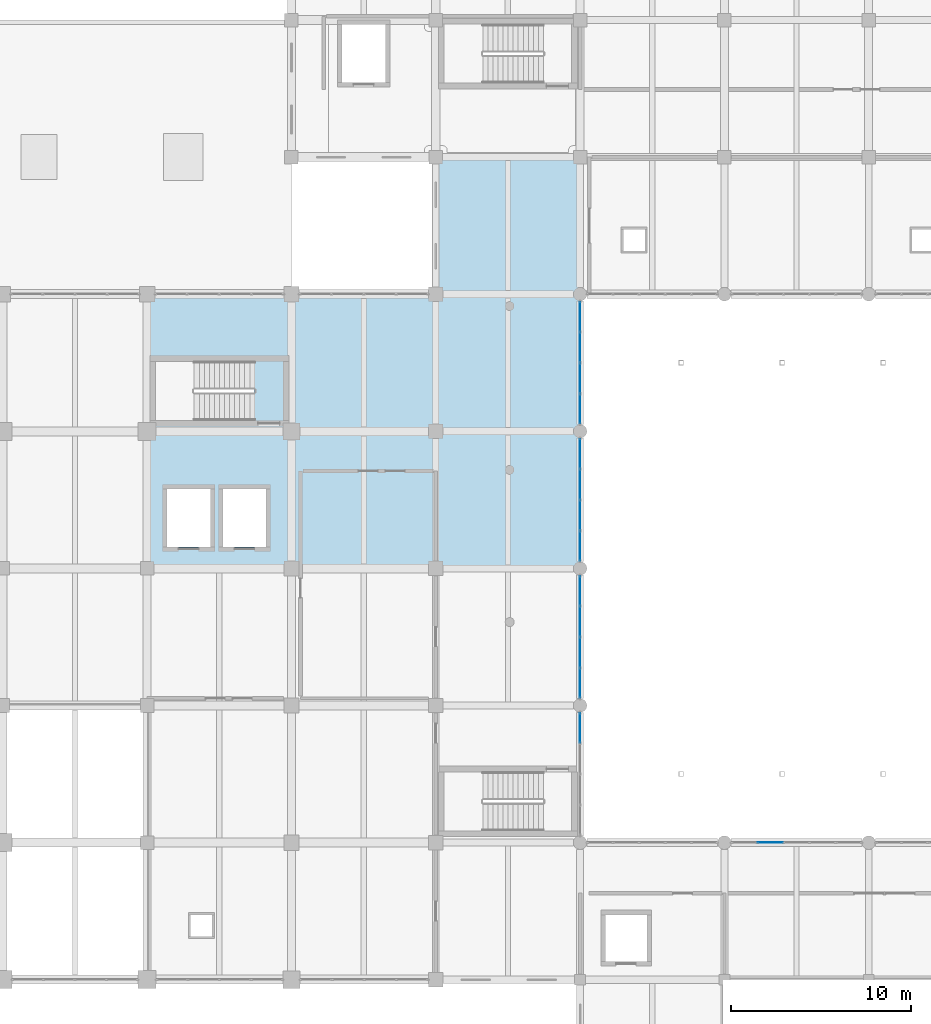
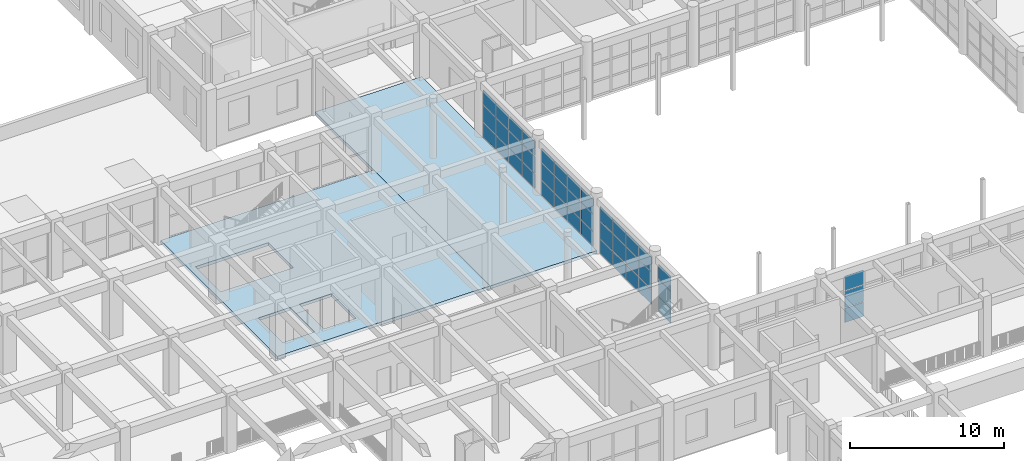
# One storey, part 65 of 101: 42 plates, 2 slabs, 5 elements without a shape of their own.
"""IFC4 building model written with IfcOpenShell, lengths in metres."""

from ifc_helpers import new_model, si_unit, direction, frame, origin, origin_2d, place, context, subcontext, project, spatial, polyline, rectangle, outline, extrude, material, layer, layer_set, type_object, element, aggregate, save


model = new_model("IFC4")

# Units and contexts
model_context = context("Model", 3, precision=1e-05, world=origin(), true_north=direction((0.0, 1.0)))
body_context = subcontext(model_context, "Body", "Model", "MODEL_VIEW")
ifc_project = project(units=[si_unit("LENGTHUNIT", "METRE"), si_unit("AREAUNIT", "SQUARE_METRE"), si_unit("VOLUMEUNIT", "CUBIC_METRE"), si_unit("PLANEANGLEUNIT", "RADIAN"), si_unit("MASSUNIT", "GRAM", prefix="KILO")], contexts=[model_context])

# Site, building, storey
site_placement = place(None, origin())
site = spatial("IfcSite", under=ifc_project, at=site_placement, CompositionType="ELEMENT")
building_placement = place(site_placement, origin())
building = spatial("IfcBuilding", under=site, at=building_placement, Name="Zantavel Square City Hall", CompositionType="ELEMENT")
storey_placement = place(building_placement, frame((0.0, 0.0, 5.39990234375)))
storey = spatial("IfcBuildingStorey", under=building, at=storey_placement, Name="L02", CompositionType="ELEMENT", Elevation=5.39990234375)

# Curtain wall, plates
ifc_material_1 = material(Name="Anodised aluminium 6063-T6", Category="aluminium")
curtain_wall_type_1 = type_object("IfcCurtainWallType", Name="Curtain Wall CRT 7250x3800", PredefinedType="USERDEFINED", material=ifc_material_1)
curtain_wall_1_placement = place(storey_placement, origin())
curtain_wall_1 = element("IfcCurtainWall", 1, at=curtain_wall_1_placement, inside=storey, type_object=curtain_wall_type_1, Name="L02 Glazed Curtain Wall CW-L02-052", ObjectType="GLAZED CURTAIN WALL", PredefinedType="USERDEFINED")
ifc_material_2 = material(Name="Tempered safety glass low-E double glazing", Category="glass")
ifc_layer_1 = layer(ifc_material_2, 0.028076171875, Name="Tempered safety glass low-E double glazing")
ifc_layer_set_1 = layer_set([ifc_layer_1], Name="Tempered safety glass low-E double glazing")
plate_type_1 = type_object("IfcPlateType", Name="Low-E Curtain Glazing Panel 1450x1267x28", PredefinedType="CURTAIN_PANEL", material=ifc_layer_set_1)
plate_1_placement = place(storey_placement, frame((130.550048828125, 38.0, 0.06005859375), z_axis=(0.0, 0.0, 1.0), x_axis=(1.0, 0.0, 0.0)))
plate_1 = element("IfcPlate", 2, at=plate_1_placement, type_object=plate_type_1, Name="CW-052 panel 2.1", PredefinedType="CURTAIN_PANEL", context=body_context, shape_type="SweptSolid", body=[
    extrude(rectangle(XDim=1.389892578125, YDim=0.028076171875, at=origin_2d()), origin(), (0.0, 0.0, 1.0), 1.1259765625),
])
plate_2_placement = place(storey_placement, frame((130.550048828125, 38.0, 1.24609375), z_axis=(0.0, 0.0, 1.0), x_axis=(1.0, 0.0, 0.0)))
plate_2 = element("IfcPlate", 3, at=plate_2_placement, type_object=plate_type_1, Name="CW-052 panel 2.2", PredefinedType="CURTAIN_PANEL", context=body_context, shape_type="SweptSolid", body=[
    extrude(rectangle(XDim=1.389892578125, YDim=0.028076171875, at=origin_2d()), origin(), (0.0, 0.0, 1.0), 1.30810546875),
])
plate_3_placement = place(storey_placement, frame((130.550048828125, 38.0, 2.614013671875), z_axis=(0.0, 0.0, 1.0), x_axis=(1.0, 0.0, 0.0)))
plate_3 = element("IfcPlate", 4, at=plate_3_placement, type_object=plate_type_1, Name="CW-052 panel 2.3", PredefinedType="CURTAIN_PANEL", context=body_context, shape_type="SweptSolid", body=[
    extrude(rectangle(XDim=1.389892578125, YDim=0.028076171875, at=origin_2d()), origin(), (0.0, 0.0, 1.0), 1.1259765625),
])
aggregate(curtain_wall_1, [plate_1, plate_2, plate_3])

curtain_wall_type_2 = type_object("IfcCurtainWallType", Name="Curtain Wall CRT 6850x3870", PredefinedType="USERDEFINED", material=ifc_material_1)
curtain_wall_2_placement = place(storey_placement, origin())
curtain_wall_2 = element("IfcCurtainWall", 5, at=curtain_wall_2_placement, inside=storey, type_object=curtain_wall_type_2, Name="L02 Glazed Curtain Wall CW-L02-064", ObjectType="GLAZED CURTAIN WALL", PredefinedType="USERDEFINED")
ifc_layer_2 = layer(ifc_material_2, 0.028076171875, Name="Tempered safety glass low-E double glazing")
ifc_layer_set_2 = layer_set([ifc_layer_2], Name="Tempered safety glass low-E double glazing")
plate_type_2 = type_object("IfcPlateType", Name="Low-E Curtain Glazing Panel 1712x1290x28", PredefinedType="CURTAIN_PANEL", material=ifc_layer_set_2)
plate_4_placement = place(storey_placement, frame((120.0, 59.5537109375, 0.06005859375), z_axis=(0.0, 0.0, 1.0), x_axis=(0.0, -1.0, 0.0)))
plate_4 = element("IfcPlate", 6, at=plate_4_placement, type_object=plate_type_2, Name="CW-064 panel 1.1", PredefinedType="CURTAIN_PANEL", context=body_context, shape_type="SweptSolid", body=[
    extrude(rectangle(XDim=1.62255859375, YDim=0.028076171875, at=origin_2d()), origin(), (0.0, 0.0, 1.0), 1.14794921875),
])
plate_5_placement = place(storey_placement, frame((120.0, 59.5537109375, 1.26806640625), z_axis=(0.0, 0.0, 1.0), x_axis=(0.0, -1.0, 0.0)))
plate_5 = element("IfcPlate", 7, at=plate_5_placement, type_object=plate_type_2, Name="CW-064 panel 1.2", PredefinedType="CURTAIN_PANEL", context=body_context, shape_type="SweptSolid", body=[
    extrude(rectangle(XDim=1.62255859375, YDim=0.028076171875, at=origin_2d()), origin(), (0.0, 0.0, 1.0), 1.333984375),
])
plate_6_placement = place(storey_placement, frame((120.0, 59.5537109375, 2.662109375), z_axis=(0.0, 0.0, 1.0), x_axis=(0.0, -1.0, 0.0)))
plate_6 = element("IfcPlate", 8, at=plate_6_placement, type_object=plate_type_2, Name="CW-064 panel 1.3", PredefinedType="CURTAIN_PANEL", context=body_context, shape_type="SweptSolid", body=[
    extrude(rectangle(XDim=1.62255859375, YDim=0.028076171875, at=origin_2d()), origin(), (0.0, 0.0, 1.0), 1.14794921875),
])
plate_7_placement = place(storey_placement, frame((120.0, 57.856201171875, 0.06005859375), z_axis=(0.0, 0.0, 1.0), x_axis=(0.0, -1.0, 0.0)))
plate_7 = element("IfcPlate", 9, at=plate_7_placement, type_object=plate_type_2, Name="CW-064 panel 2.1", PredefinedType="CURTAIN_PANEL", context=body_context, shape_type="SweptSolid", body=[
    extrude(rectangle(XDim=1.652587890625, YDim=0.028076171875, at=origin_2d()), origin(), (0.0, 0.0, 1.0), 1.14794921875),
])
plate_8_placement = place(storey_placement, frame((120.0, 57.856201171875, 1.26806640625), z_axis=(0.0, 0.0, 1.0), x_axis=(0.0, -1.0, 0.0)))
plate_8 = element("IfcPlate", 10, at=plate_8_placement, type_object=plate_type_2, Name="CW-064 panel 2.2", PredefinedType="CURTAIN_PANEL", context=body_context, shape_type="SweptSolid", body=[
    extrude(rectangle(XDim=1.652587890625, YDim=0.028076171875, at=origin_2d()), origin(), (0.0, 0.0, 1.0), 1.333984375),
])
plate_9_placement = place(storey_placement, frame((120.0, 57.856201171875, 2.662109375), z_axis=(0.0, 0.0, 1.0), x_axis=(0.0, -1.0, 0.0)))
plate_9 = element("IfcPlate", 11, at=plate_9_placement, type_object=plate_type_2, Name="CW-064 panel 2.3", PredefinedType="CURTAIN_PANEL", context=body_context, shape_type="SweptSolid", body=[
    extrude(rectangle(XDim=1.652587890625, YDim=0.028076171875, at=origin_2d()), origin(), (0.0, 0.0, 1.0), 1.14794921875),
])
plate_10_placement = place(storey_placement, frame((120.0, 56.143798828125, 0.06005859375), z_axis=(0.0, 0.0, 1.0), x_axis=(0.0, -1.0, 0.0)))
plate_10 = element("IfcPlate", 12, at=plate_10_placement, type_object=plate_type_2, Name="CW-064 panel 3.1", PredefinedType="CURTAIN_PANEL", context=body_context, shape_type="SweptSolid", body=[
    extrude(rectangle(XDim=1.652587890625, YDim=0.028076171875, at=origin_2d()), origin(), (0.0, 0.0, 1.0), 1.14794921875),
])
plate_11_placement = place(storey_placement, frame((120.0, 56.143798828125, 1.26806640625), z_axis=(0.0, 0.0, 1.0), x_axis=(0.0, -1.0, 0.0)))
plate_11 = element("IfcPlate", 13, at=plate_11_placement, type_object=plate_type_2, Name="CW-064 panel 3.2", PredefinedType="CURTAIN_PANEL", context=body_context, shape_type="SweptSolid", body=[
    extrude(rectangle(XDim=1.652587890625, YDim=0.028076171875, at=origin_2d()), origin(), (0.0, 0.0, 1.0), 1.333984375),
])
plate_12_placement = place(storey_placement, frame((120.0, 56.143798828125, 2.662109375), z_axis=(0.0, 0.0, 1.0), x_axis=(0.0, -1.0, 0.0)))
plate_12 = element("IfcPlate", 14, at=plate_12_placement, type_object=plate_type_2, Name="CW-064 panel 3.3", PredefinedType="CURTAIN_PANEL", context=body_context, shape_type="SweptSolid", body=[
    extrude(rectangle(XDim=1.652587890625, YDim=0.028076171875, at=origin_2d()), origin(), (0.0, 0.0, 1.0), 1.14794921875),
])
plate_13_placement = place(storey_placement, frame((120.0, 54.4462890625, 0.06005859375), z_axis=(0.0, 0.0, 1.0), x_axis=(0.0, -1.0, 0.0)))
plate_13 = element("IfcPlate", 15, at=plate_13_placement, type_object=plate_type_2, Name="CW-064 panel 4.1", PredefinedType="CURTAIN_PANEL", context=body_context, shape_type="SweptSolid", body=[
    extrude(rectangle(XDim=1.62255859375, YDim=0.028076171875, at=origin_2d()), origin(), (0.0, 0.0, 1.0), 1.14794921875),
])
plate_14_placement = place(storey_placement, frame((120.0, 54.4462890625, 1.26806640625), z_axis=(0.0, 0.0, 1.0), x_axis=(0.0, -1.0, 0.0)))
plate_14 = element("IfcPlate", 16, at=plate_14_placement, type_object=plate_type_2, Name="CW-064 panel 4.2", PredefinedType="CURTAIN_PANEL", context=body_context, shape_type="SweptSolid", body=[
    extrude(rectangle(XDim=1.62255859375, YDim=0.028076171875, at=origin_2d()), origin(), (0.0, 0.0, 1.0), 1.333984375),
])
plate_15_placement = place(storey_placement, frame((120.0, 54.4462890625, 2.662109375), z_axis=(0.0, 0.0, 1.0), x_axis=(0.0, -1.0, 0.0)))
plate_15 = element("IfcPlate", 17, at=plate_15_placement, type_object=plate_type_2, Name="CW-064 panel 4.3", PredefinedType="CURTAIN_PANEL", context=body_context, shape_type="SweptSolid", body=[
    extrude(rectangle(XDim=1.62255859375, YDim=0.028076171875, at=origin_2d()), origin(), (0.0, 0.0, 1.0), 1.14794921875),
])
aggregate(curtain_wall_2, [plate_4, plate_5, plate_6, plate_7, plate_8, plate_9, plate_10, plate_11, plate_12, plate_13, plate_14, plate_15])

curtain_wall_3_placement = place(storey_placement, origin())
curtain_wall_3 = element("IfcCurtainWall", 18, at=curtain_wall_3_placement, inside=storey, type_object=curtain_wall_type_2, Name="L02 Glazed Curtain Wall CW-L02-063", ObjectType="GLAZED CURTAIN WALL", PredefinedType="USERDEFINED")
ifc_layer_3 = layer(ifc_material_2, 0.028076171875, Name="Tempered safety glass low-E double glazing")
ifc_layer_set_3 = layer_set([ifc_layer_3], Name="Tempered safety glass low-E double glazing")
plate_type_3 = type_object("IfcPlateType", Name="Low-E Curtain Glazing Panel 1713x1290x28", PredefinedType="CURTAIN_PANEL", material=ifc_layer_set_3)
plate_16_placement = place(storey_placement, frame((120.0, 67.15380859375, 0.06005859375), z_axis=(0.0, 0.0, 1.0), x_axis=(0.0, -1.0, 0.0)))
plate_16 = element("IfcPlate", 19, at=plate_16_placement, type_object=plate_type_3, Name="CW-063 panel 1.1", PredefinedType="CURTAIN_PANEL", context=body_context, shape_type="SweptSolid", body=[
    extrude(rectangle(XDim=1.62255859375, YDim=0.028076171875, at=origin_2d()), origin(), (0.0, 0.0, 1.0), 1.14794921875),
])
plate_17_placement = place(storey_placement, frame((120.0, 67.15380859375, 1.26806640625), z_axis=(0.0, 0.0, 1.0), x_axis=(0.0, -1.0, 0.0)))
plate_17 = element("IfcPlate", 20, at=plate_17_placement, type_object=plate_type_3, Name="CW-063 panel 1.2", PredefinedType="CURTAIN_PANEL", context=body_context, shape_type="SweptSolid", body=[
    extrude(rectangle(XDim=1.62255859375, YDim=0.028076171875, at=origin_2d()), origin(), (0.0, 0.0, 1.0), 1.333984375),
])
plate_18_placement = place(storey_placement, frame((120.0, 67.15380859375, 2.662109375), z_axis=(0.0, 0.0, 1.0), x_axis=(0.0, -1.0, 0.0)))
plate_18 = element("IfcPlate", 21, at=plate_18_placement, type_object=plate_type_3, Name="CW-063 panel 1.3", PredefinedType="CURTAIN_PANEL", context=body_context, shape_type="SweptSolid", body=[
    extrude(rectangle(XDim=1.62255859375, YDim=0.028076171875, at=origin_2d()), origin(), (0.0, 0.0, 1.0), 1.14794921875),
])
plate_19_placement = place(storey_placement, frame((120.0, 65.456298828125, 0.06005859375), z_axis=(0.0, 0.0, 1.0), x_axis=(0.0, -1.0, 0.0)))
plate_19 = element("IfcPlate", 22, at=plate_19_placement, type_object=plate_type_3, Name="CW-063 panel 2.1", PredefinedType="CURTAIN_PANEL", context=body_context, shape_type="SweptSolid", body=[
    extrude(rectangle(XDim=1.652587890625, YDim=0.028076171875, at=origin_2d()), origin(), (0.0, 0.0, 1.0), 1.14794921875),
])
plate_20_placement = place(storey_placement, frame((120.0, 65.456298828125, 1.26806640625), z_axis=(0.0, 0.0, 1.0), x_axis=(0.0, -1.0, 0.0)))
plate_20 = element("IfcPlate", 23, at=plate_20_placement, type_object=plate_type_3, Name="CW-063 panel 2.2", PredefinedType="CURTAIN_PANEL", context=body_context, shape_type="SweptSolid", body=[
    extrude(rectangle(XDim=1.652587890625, YDim=0.028076171875, at=origin_2d()), origin(), (0.0, 0.0, 1.0), 1.333984375),
])
plate_21_placement = place(storey_placement, frame((120.0, 65.456298828125, 2.662109375), z_axis=(0.0, 0.0, 1.0), x_axis=(0.0, -1.0, 0.0)))
plate_21 = element("IfcPlate", 24, at=plate_21_placement, type_object=plate_type_3, Name="CW-063 panel 2.3", PredefinedType="CURTAIN_PANEL", context=body_context, shape_type="SweptSolid", body=[
    extrude(rectangle(XDim=1.652587890625, YDim=0.028076171875, at=origin_2d()), origin(), (0.0, 0.0, 1.0), 1.14794921875),
])
plate_22_placement = place(storey_placement, frame((120.0, 63.74365234375, 0.06005859375), z_axis=(0.0, 0.0, 1.0), x_axis=(0.0, -1.0, 0.0)))
plate_22 = element("IfcPlate", 25, at=plate_22_placement, type_object=plate_type_3, Name="CW-063 panel 3.1", PredefinedType="CURTAIN_PANEL", context=body_context, shape_type="SweptSolid", body=[
    extrude(rectangle(XDim=1.652587890625, YDim=0.028076171875, at=origin_2d()), origin(), (0.0, 0.0, 1.0), 1.14794921875),
])
plate_23_placement = place(storey_placement, frame((120.0, 63.74365234375, 1.26806640625), z_axis=(0.0, 0.0, 1.0), x_axis=(0.0, -1.0, 0.0)))
plate_23 = element("IfcPlate", 26, at=plate_23_placement, type_object=plate_type_3, Name="CW-063 panel 3.2", PredefinedType="CURTAIN_PANEL", context=body_context, shape_type="SweptSolid", body=[
    extrude(rectangle(XDim=1.652587890625, YDim=0.028076171875, at=origin_2d()), origin(), (0.0, 0.0, 1.0), 1.333984375),
])
plate_24_placement = place(storey_placement, frame((120.0, 63.74365234375, 2.662109375), z_axis=(0.0, 0.0, 1.0), x_axis=(0.0, -1.0, 0.0)))
plate_24 = element("IfcPlate", 27, at=plate_24_placement, type_object=plate_type_3, Name="CW-063 panel 3.3", PredefinedType="CURTAIN_PANEL", context=body_context, shape_type="SweptSolid", body=[
    extrude(rectangle(XDim=1.652587890625, YDim=0.028076171875, at=origin_2d()), origin(), (0.0, 0.0, 1.0), 1.14794921875),
])
plate_25_placement = place(storey_placement, frame((120.0, 62.046142578125, 0.06005859375), z_axis=(0.0, 0.0, 1.0), x_axis=(0.0, -1.0, 0.0)))
plate_25 = element("IfcPlate", 28, at=plate_25_placement, type_object=plate_type_3, Name="CW-063 panel 4.1", PredefinedType="CURTAIN_PANEL", context=body_context, shape_type="SweptSolid", body=[
    extrude(rectangle(XDim=1.62255859375, YDim=0.028076171875, at=origin_2d()), origin(), (0.0, 0.0, 1.0), 1.14794921875),
])
plate_26_placement = place(storey_placement, frame((120.0, 62.046142578125, 1.26806640625), z_axis=(0.0, 0.0, 1.0), x_axis=(0.0, -1.0, 0.0)))
plate_26 = element("IfcPlate", 29, at=plate_26_placement, type_object=plate_type_3, Name="CW-063 panel 4.2", PredefinedType="CURTAIN_PANEL", context=body_context, shape_type="SweptSolid", body=[
    extrude(rectangle(XDim=1.62255859375, YDim=0.028076171875, at=origin_2d()), origin(), (0.0, 0.0, 1.0), 1.333984375),
])
plate_27_placement = place(storey_placement, frame((120.0, 62.046142578125, 2.662109375), z_axis=(0.0, 0.0, 1.0), x_axis=(0.0, -1.0, 0.0)))
plate_27 = element("IfcPlate", 30, at=plate_27_placement, type_object=plate_type_3, Name="CW-063 panel 4.3", PredefinedType="CURTAIN_PANEL", context=body_context, shape_type="SweptSolid", body=[
    extrude(rectangle(XDim=1.62255859375, YDim=0.028076171875, at=origin_2d()), origin(), (0.0, 0.0, 1.0), 1.14794921875),
])
aggregate(curtain_wall_3, [plate_16, plate_17, plate_18, plate_19, plate_20, plate_21, plate_22, plate_23, plate_24, plate_25, plate_26, plate_27])

curtain_wall_4_placement = place(storey_placement, origin())
curtain_wall_4 = element("IfcCurtainWall", 31, at=curtain_wall_4_placement, inside=storey, type_object=curtain_wall_type_2, Name="L02 Glazed Curtain Wall CW-L02-065", ObjectType="GLAZED CURTAIN WALL", PredefinedType="USERDEFINED")
plate_28_placement = place(storey_placement, frame((120.0, 51.953857421875, 0.06005859375), z_axis=(0.0, 0.0, 1.0), x_axis=(0.0, -1.0, 0.0)))
plate_28 = element("IfcPlate", 32, at=plate_28_placement, type_object=plate_type_3, Name="CW-065 panel 1.1", PredefinedType="CURTAIN_PANEL", context=body_context, shape_type="SweptSolid", body=[
    extrude(rectangle(XDim=1.62255859375, YDim=0.028076171875, at=origin_2d()), origin(), (0.0, 0.0, 1.0), 1.14794921875),
])
plate_29_placement = place(storey_placement, frame((120.0, 51.953857421875, 1.26806640625), z_axis=(0.0, 0.0, 1.0), x_axis=(0.0, -1.0, 0.0)))
plate_29 = element("IfcPlate", 33, at=plate_29_placement, type_object=plate_type_3, Name="CW-065 panel 1.2", PredefinedType="CURTAIN_PANEL", context=body_context, shape_type="SweptSolid", body=[
    extrude(rectangle(XDim=1.62255859375, YDim=0.028076171875, at=origin_2d()), origin(), (0.0, 0.0, 1.0), 1.333984375),
])
plate_30_placement = place(storey_placement, frame((120.0, 51.953857421875, 2.662109375), z_axis=(0.0, 0.0, 1.0), x_axis=(0.0, -1.0, 0.0)))
plate_30 = element("IfcPlate", 34, at=plate_30_placement, type_object=plate_type_3, Name="CW-065 panel 1.3", PredefinedType="CURTAIN_PANEL", context=body_context, shape_type="SweptSolid", body=[
    extrude(rectangle(XDim=1.62255859375, YDim=0.028076171875, at=origin_2d()), origin(), (0.0, 0.0, 1.0), 1.14794921875),
])
plate_31_placement = place(storey_placement, frame((120.0, 50.25634765625, 0.06005859375), z_axis=(0.0, 0.0, 1.0), x_axis=(0.0, -1.0, 0.0)))
plate_31 = element("IfcPlate", 35, at=plate_31_placement, type_object=plate_type_3, Name="CW-065 panel 2.1", PredefinedType="CURTAIN_PANEL", context=body_context, shape_type="SweptSolid", body=[
    extrude(rectangle(XDim=1.652587890625, YDim=0.028076171875, at=origin_2d()), origin(), (0.0, 0.0, 1.0), 1.14794921875),
])
plate_32_placement = place(storey_placement, frame((120.0, 50.25634765625, 1.26806640625), z_axis=(0.0, 0.0, 1.0), x_axis=(0.0, -1.0, 0.0)))
plate_32 = element("IfcPlate", 36, at=plate_32_placement, type_object=plate_type_3, Name="CW-065 panel 2.2", PredefinedType="CURTAIN_PANEL", context=body_context, shape_type="SweptSolid", body=[
    extrude(rectangle(XDim=1.652587890625, YDim=0.028076171875, at=origin_2d()), origin(), (0.0, 0.0, 1.0), 1.333984375),
])
plate_33_placement = place(storey_placement, frame((120.0, 50.25634765625, 2.662109375), z_axis=(0.0, 0.0, 1.0), x_axis=(0.0, -1.0, 0.0)))
plate_33 = element("IfcPlate", 37, at=plate_33_placement, type_object=plate_type_3, Name="CW-065 panel 2.3", PredefinedType="CURTAIN_PANEL", context=body_context, shape_type="SweptSolid", body=[
    extrude(rectangle(XDim=1.652587890625, YDim=0.028076171875, at=origin_2d()), origin(), (0.0, 0.0, 1.0), 1.14794921875),
])
plate_34_placement = place(storey_placement, frame((120.0, 48.543701171875, 0.06005859375), z_axis=(0.0, 0.0, 1.0), x_axis=(0.0, -1.0, 0.0)))
plate_34 = element("IfcPlate", 38, at=plate_34_placement, type_object=plate_type_3, Name="CW-065 panel 3.1", PredefinedType="CURTAIN_PANEL", context=body_context, shape_type="SweptSolid", body=[
    extrude(rectangle(XDim=1.652587890625, YDim=0.028076171875, at=origin_2d()), origin(), (0.0, 0.0, 1.0), 1.14794921875),
])
plate_35_placement = place(storey_placement, frame((120.0, 48.543701171875, 1.26806640625), z_axis=(0.0, 0.0, 1.0), x_axis=(0.0, -1.0, 0.0)))
plate_35 = element("IfcPlate", 39, at=plate_35_placement, type_object=plate_type_3, Name="CW-065 panel 3.2", PredefinedType="CURTAIN_PANEL", context=body_context, shape_type="SweptSolid", body=[
    extrude(rectangle(XDim=1.652587890625, YDim=0.028076171875, at=origin_2d()), origin(), (0.0, 0.0, 1.0), 1.333984375),
])
plate_36_placement = place(storey_placement, frame((120.0, 48.543701171875, 2.662109375), z_axis=(0.0, 0.0, 1.0), x_axis=(0.0, -1.0, 0.0)))
plate_36 = element("IfcPlate", 40, at=plate_36_placement, type_object=plate_type_3, Name="CW-065 panel 3.3", PredefinedType="CURTAIN_PANEL", context=body_context, shape_type="SweptSolid", body=[
    extrude(rectangle(XDim=1.652587890625, YDim=0.028076171875, at=origin_2d()), origin(), (0.0, 0.0, 1.0), 1.14794921875),
])
plate_37_placement = place(storey_placement, frame((120.0, 46.84619140625, 0.06005859375), z_axis=(0.0, 0.0, 1.0), x_axis=(0.0, -1.0, 0.0)))
plate_37 = element("IfcPlate", 41, at=plate_37_placement, type_object=plate_type_3, Name="CW-065 panel 4.1", PredefinedType="CURTAIN_PANEL", context=body_context, shape_type="SweptSolid", body=[
    extrude(rectangle(XDim=1.62255859375, YDim=0.028076171875, at=origin_2d()), origin(), (0.0, 0.0, 1.0), 1.14794921875),
])
plate_38_placement = place(storey_placement, frame((120.0, 46.84619140625, 1.26806640625), z_axis=(0.0, 0.0, 1.0), x_axis=(0.0, -1.0, 0.0)))
plate_38 = element("IfcPlate", 42, at=plate_38_placement, type_object=plate_type_3, Name="CW-065 panel 4.2", PredefinedType="CURTAIN_PANEL", context=body_context, shape_type="SweptSolid", body=[
    extrude(rectangle(XDim=1.62255859375, YDim=0.028076171875, at=origin_2d()), origin(), (0.0, 0.0, 1.0), 1.333984375),
])
plate_39_placement = place(storey_placement, frame((120.0, 46.84619140625, 2.662109375), z_axis=(0.0, 0.0, 1.0), x_axis=(0.0, -1.0, 0.0)))
plate_39 = element("IfcPlate", 43, at=plate_39_placement, type_object=plate_type_3, Name="CW-065 panel 4.3", PredefinedType="CURTAIN_PANEL", context=body_context, shape_type="SweptSolid", body=[
    extrude(rectangle(XDim=1.62255859375, YDim=0.028076171875, at=origin_2d()), origin(), (0.0, 0.0, 1.0), 1.14794921875),
])
aggregate(curtain_wall_4, [plate_28, plate_29, plate_30, plate_31, plate_32, plate_33, plate_34, plate_35, plate_36, plate_37, plate_38, plate_39])

curtain_wall_5_placement = place(storey_placement, origin())
curtain_wall_5 = element("IfcCurtainWall", 44, at=curtain_wall_5_placement, inside=storey, type_object=curtain_wall_type_2, Name="L02 Glazed Curtain Wall CW-L02-066", ObjectType="GLAZED CURTAIN WALL", PredefinedType="USERDEFINED")
plate_40_placement = place(storey_placement, frame((120.0, 44.353759765625, 0.06005859375), z_axis=(0.0, 0.0, 1.0), x_axis=(0.0, -1.0, 0.0)))
plate_40 = element("IfcPlate", 45, at=plate_40_placement, type_object=plate_type_3, Name="CW-066 panel 1.1", PredefinedType="CURTAIN_PANEL", context=body_context, shape_type="SweptSolid", body=[
    extrude(rectangle(XDim=1.62255859375, YDim=0.028076171875, at=origin_2d()), origin(), (0.0, 0.0, 1.0), 1.14794921875),
])
plate_41_placement = place(storey_placement, frame((120.0, 44.353759765625, 1.26806640625), z_axis=(0.0, 0.0, 1.0), x_axis=(0.0, -1.0, 0.0)))
plate_41 = element("IfcPlate", 46, at=plate_41_placement, type_object=plate_type_3, Name="CW-066 panel 1.2", PredefinedType="CURTAIN_PANEL", context=body_context, shape_type="SweptSolid", body=[
    extrude(rectangle(XDim=1.62255859375, YDim=0.028076171875, at=origin_2d()), origin(), (0.0, 0.0, 1.0), 1.333984375),
])
plate_42_placement = place(storey_placement, frame((120.0, 44.353759765625, 2.662109375), z_axis=(0.0, 0.0, 1.0), x_axis=(0.0, -1.0, 0.0)))
plate_42 = element("IfcPlate", 47, at=plate_42_placement, type_object=plate_type_3, Name="CW-066 panel 1.3", PredefinedType="CURTAIN_PANEL", context=body_context, shape_type="SweptSolid", body=[
    extrude(rectangle(XDim=1.62255859375, YDim=0.028076171875, at=origin_2d()), origin(), (0.0, 0.0, 1.0), 1.14794921875),
])
aggregate(curtain_wall_5, [plate_40, plate_41, plate_42])

# Slabs
ifc_material_3 = material(Name="Concrete C35/45", Category="concrete")
ifc_layer_4 = layer(ifc_material_3, 0.239990234375, Name="Concrete C35/45")
ifc_layer_set_4 = layer_set([ifc_layer_4], Name="Concrete C35/45")
slab_type = type_object("IfcSlabType", Name="Standard Office Floor Slab 240mm C35/45", PredefinedType="FLOOR", material=ifc_layer_set_4)
slab_1_placement = place(storey_placement, frame((0.0, 0.0, -0.239990234375)))
element("IfcSlab", 48, at=slab_1_placement, inside=storey, type_object=slab_type, Name="L02 Floor Slab SLB-L02-V1-12", PredefinedType="FLOOR", context=body_context, shape_type="SweptSolid", body=[
    extrude(outline(polyline([(96.0, 68.39990234375), (112.0, 68.39990234375), (112.0, 53.199951171875), (96.0, 53.199951171875), (96.0, 68.39990234375)]), holes=[polyline([(96.469970703125, 61.39990234375), (101.949951171875, 61.39990234375), (101.949951171875, 64.669921875), (96.469970703125, 64.669921875), (96.469970703125, 61.39990234375)]), polyline([(97.10009765625, 57.60009765625), (97.10009765625, 54.39990234375), (99.5, 54.39990234375), (99.5, 57.60009765625), (97.10009765625, 57.60009765625)]), polyline([(102.60009765625, 57.60009765625), (100.199951171875, 57.60009765625), (100.199951171875, 54.39990234375), (102.60009765625, 54.39990234375), (102.60009765625, 57.60009765625)])]), origin(), (0.0, 0.0, 1.0), 0.239990234375),
])
slab_2_placement = place(storey_placement, frame((0.0, 0.0, -0.239990234375)))
element("IfcSlab", 49, at=slab_2_placement, inside=storey, type_object=slab_type, Name="L02 Floor Slab SLB-L02-V2W-02", PredefinedType="FLOOR", context=body_context, shape_type="SweptSolid", body=[
    extrude(outline(polyline([(112.0, 76.0), (120.0, 76.0), (120.0, 53.199951171875), (112.0, 53.199951171875), (112.0, 68.39990234375), (112.0, 76.0)])), origin(), (0.0, 0.0, 1.0), 0.239990234375),
])

save(model, "model.ifc")
